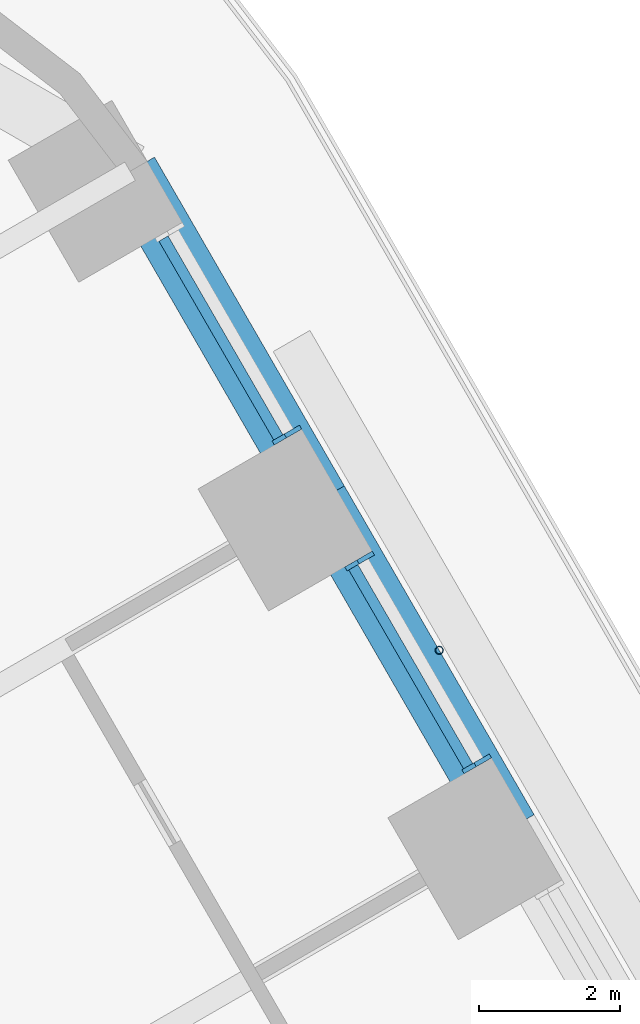
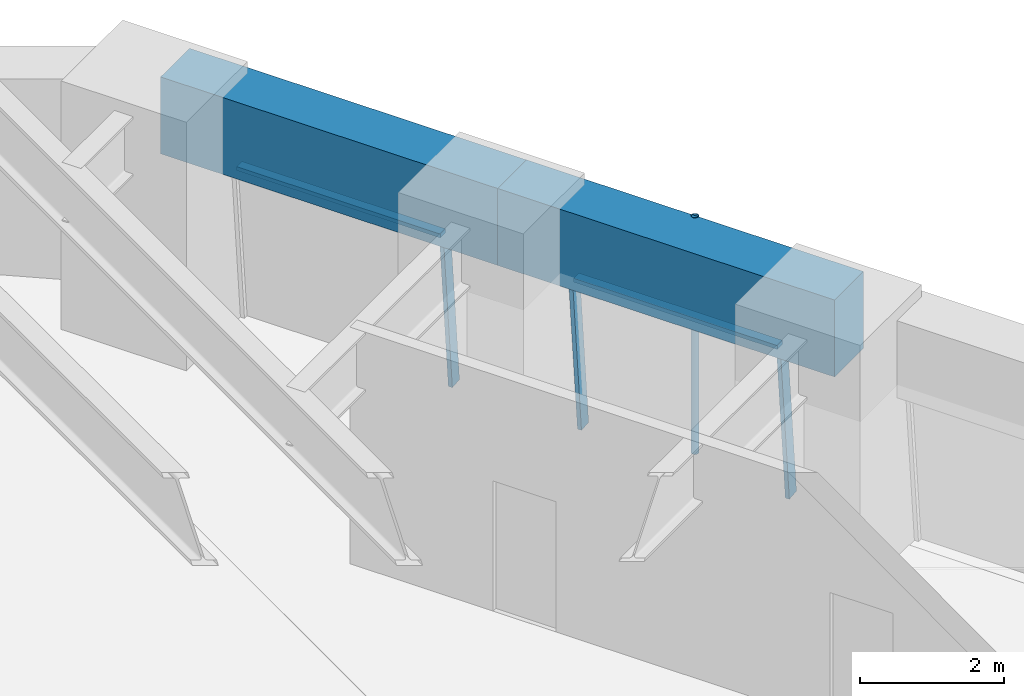
# One storey, part 11 of 24: 6 members, 2 beams, 2 elements without a shape of their own.
"""IFC4 building model written with IfcOpenShell, lengths in metres."""

from ifc_helpers import new_model, si_unit, direction, frame, origin, origin_2d, place, context, subcontext, project, spatial, rectangle, hollow_circle, extrude, material, material_profile, profile_set, type_object, element, aggregate, save


model = new_model("IFC4")

# Units and contexts
model_context = context("Model", 3, precision=1e-05, world=origin(), true_north=direction((0.0, 1.0)))
body_context = subcontext(model_context, "Body", "Model", "MODEL_VIEW")
ifc_project = project(units=[si_unit("LENGTHUNIT", "METRE"), si_unit("AREAUNIT", "SQUARE_METRE"), si_unit("VOLUMEUNIT", "CUBIC_METRE"), si_unit("PLANEANGLEUNIT", "RADIAN"), si_unit("MASSUNIT", "GRAM", prefix="KILO")], contexts=[model_context])

# Site, building, storey
site_placement = place(None, origin())
site = spatial("IfcSite", under=ifc_project, at=site_placement, CompositionType="ELEMENT")
building_placement = place(site_placement, origin())
building = spatial("IfcBuilding", under=site, at=building_placement, Name="Tarfa Lantern Tower", CompositionType="ELEMENT")
storey_placement = place(building_placement, frame((0.0, 0.0, 65.5)))
storey = spatial("IfcBuildingStorey", under=building, at=storey_placement, Name="L14", CompositionType="ELEMENT", Elevation=65.5)

# Curtain wall, members
ifc_material_1 = material(Name="Aluminium framed curtain wall", Category="aluminium")
curtain_wall_type = type_object("IfcCurtainWallType", Name="CW1 CANTED GLAZING LOW ZONE 2700", PredefinedType="USERDEFINED", material=ifc_material_1)
curtain_wall_1_placement = place(storey_placement, origin())
curtain_wall_1 = element("IfcCurtainWall", 1, at=curtain_wall_1_placement, inside=storey, type_object=curtain_wall_type, Name="CW1 NE L14", ObjectType="CURTAIN WALL", PredefinedType="USERDEFINED")
ifc_material_2 = material(Name="Aluminium mullion", Category="aluminium")
ifc_material_profile_1 = material_profile(ifc_material_2, rectangle(XDim=0.06494140625, YDim=0.199951171875, at=origin_2d()), Name="AL MULLION 65x200")
ifc_profile_set_1 = profile_set([ifc_material_profile_1], Name="Aluminium mullion")
member_type_1 = type_object("IfcMemberType", Name="CWM1 MULLION 65x200", PredefinedType="MULLION", material=ifc_profile_set_1)
member_1_placement = place(storey_placement, frame((26.147705078125, 22.5107421875, 0.0), z_axis=(-0.07986442134, -0.046099868913, 0.99573916077), x_axis=(0.499919672301, -0.866071776036, 0.0)))
member_1 = element("IfcMember", 2, at=member_1_placement, type_object=member_type_1, Name="CW1 mullion 1", PredefinedType="MULLION", context=body_context, shape_type="SweptSolid", body=[
    extrude(rectangle(XDim=0.06494140625, YDim=0.199951171875, at=origin_2d()), origin(), (0.0, 0.0, 1.0), 2.71142578125),
])
member_2_placement = place(storey_placement, frame((24.48583984375, 25.38916015625, 0.0), z_axis=(-0.07986442134, -0.046099868913, 0.99573916077), x_axis=(0.499919672301, -0.866071776036, 0.0)))
member_2 = element("IfcMember", 3, at=member_2_placement, type_object=member_type_1, Name="CW1 mullion 2", PredefinedType="MULLION", context=body_context, shape_type="SweptSolid", body=[
    extrude(rectangle(XDim=0.06494140625, YDim=0.199951171875, at=origin_2d()), origin(), (0.0, 0.0, 1.0), 2.71142578125),
])

# Curtain wall, member
curtain_wall_2_placement = place(storey_placement, origin())
curtain_wall_2 = element("IfcCurtainWall", 4, at=curtain_wall_2_placement, inside=storey, type_object=curtain_wall_type, Name="CW1 NE L14", ObjectType="CURTAIN WALL", PredefinedType="USERDEFINED")
member_3_placement = place(storey_placement, frame((23.453369140625, 27.177490234375, 0.0), z_axis=(-0.07986442134, -0.046099868913, 0.99573916077), x_axis=(0.499919672301, -0.866071776036, 0.0)))
member_3 = element("IfcMember", 5, at=member_3_placement, type_object=member_type_1, Name="CW1 mullion 1", PredefinedType="MULLION", context=body_context, shape_type="SweptSolid", body=[
    extrude(rectangle(XDim=0.06494140625, YDim=0.199951171875, at=origin_2d()), origin(), (0.0, 0.0, 1.0), 2.71142578125),
])

# Member
ifc_material_3 = material(Name="Aluminium transom", Category="aluminium")
ifc_material_profile_2 = material_profile(ifc_material_3, rectangle(XDim=0.14990234375, YDim=0.06494140625, at=origin_2d()), Name="AL TRANSOM 150x65")
ifc_profile_set_2 = profile_set([ifc_material_profile_2], Name="Aluminium transom")
member_type_2 = type_object("IfcMemberType", Name="CWT1 TRANSOM 150x65", PredefinedType="USERDEFINED", material=ifc_profile_set_2)
member_4_placement = place(storey_placement, frame((25.91748046875, 22.41552734375, 2.66748046875), z_axis=(-0.499966746847, 0.86604460165, 0.0), x_axis=(-0.86604460165, -0.499966746847, 0.0)))
member_4 = element("IfcMember", 6, at=member_4_placement, type_object=member_type_2, Name="CW1 transom 1.2", ObjectType="TRANSOM", PredefinedType="USERDEFINED", context=body_context, shape_type="SweptSolid", body=[
    extrude(rectangle(XDim=0.14990234375, YDim=0.06494140625, at=origin_2d()), origin(), (0.0, 0.0, 1.0), 3.258544921875),
])

aggregate(curtain_wall_1, [member_1, member_2, member_4])

member_5_placement = place(storey_placement, frame((23.22314453125, 27.082275390625, 2.66748046875), z_axis=(-0.499966746847, 0.86604460165, 0.0), x_axis=(-0.86604460165, -0.499966746847, 0.0)))
member_5 = element("IfcMember", 7, at=member_5_placement, type_object=member_type_2, Name="CW1 transom 1.2", ObjectType="TRANSOM", PredefinedType="USERDEFINED", context=body_context, shape_type="SweptSolid", body=[
    extrude(rectangle(XDim=0.14990234375, YDim=0.06494140625, at=origin_2d()), origin(), (0.0, 0.0, 1.0), 3.258544921875),
])

aggregate(curtain_wall_2, [member_3, member_5])

# Beams
ifc_material_4 = material(Name="Concrete C80/95", Category="concrete")
ifc_material_profile_3 = material_profile(ifc_material_4, rectangle(XDim=0.800048828125, YDim=1.300048828125, at=origin_2d()), Name="RC 800x1300")
ifc_profile_set_3 = profile_set([ifc_material_profile_3], Name="Concrete C80/95")
beam_type = type_object("IfcBeamType", Name="EB1 RC 800x1300", PredefinedType="SPANDREL", material=ifc_profile_set_3)
for number, where, z_axis, x_axis, name in (
    (8, (26.508056640625, 21.526611328125, 3.35009765625), (-0.499998287579, 0.866026392449, 0.0), (-0.866026392449, -0.499998287579, 0.0), "Edge beam NE4"),
    (9, (23.813720703125, 26.193359375, 3.35009765625), (-0.499998287579, 0.866026392449, 0.0), (-0.866026392449, -0.499998287579, 0.0), "Edge beam NE5"),
):
    element("IfcBeam", number, at=place(storey_placement, frame(where, z_axis=z_axis, x_axis=x_axis)), inside=storey, type_object=beam_type, Name=name, PredefinedType="SPANDREL", context=body_context, shape_type="SweptSolid", body=[
        extrude(rectangle(XDim=0.800048828125, YDim=1.300048828125, at=origin_2d()), origin(), (0.0, 0.0, 1.0), 5.388671875),
    ])

# Member
ifc_material_5 = material(Name="Steel S355", Category="steel")
ifc_material_profile_4 = material_profile(ifc_material_5, hollow_circle(Radius=0.05712890625, WallThickness=0.00634765625, at=origin_2d()), Name="CHS114.3x6.3")
ifc_profile_set_4 = profile_set([ifc_material_profile_4], Name="Steel S355")
member_type_3 = type_object("IfcMemberType", Name="TR1 GREEN WALL TRELLIS CHS114.3x6.3", PredefinedType="USERDEFINED", material=ifc_profile_set_4)
member_6_placement = place(storey_placement, frame((25.50732421875, 24.06005859375, 0.0), z_axis=(0.0, 0.0, 1.0), x_axis=(1.0, 0.0, 0.0)))
element("IfcMember", 10, at=member_6_placement, inside=storey, type_object=member_type_3, Name="Trellis post NE 2", ObjectType="TRELLIS", PredefinedType="USERDEFINED", context=body_context, shape_type="SweptSolid", body=[
    extrude(hollow_circle(Radius=0.05712890625, WallThickness=0.00634765625, at=origin_2d()), origin(), (0.0, 0.0, 1.0), 4.0),
])

save(model, "model.ifc")
